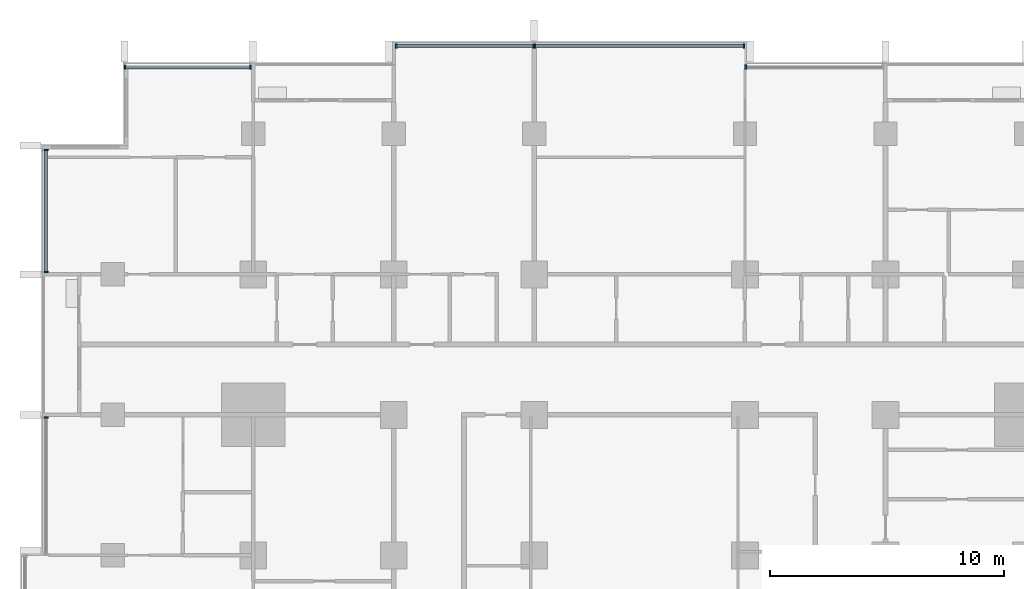
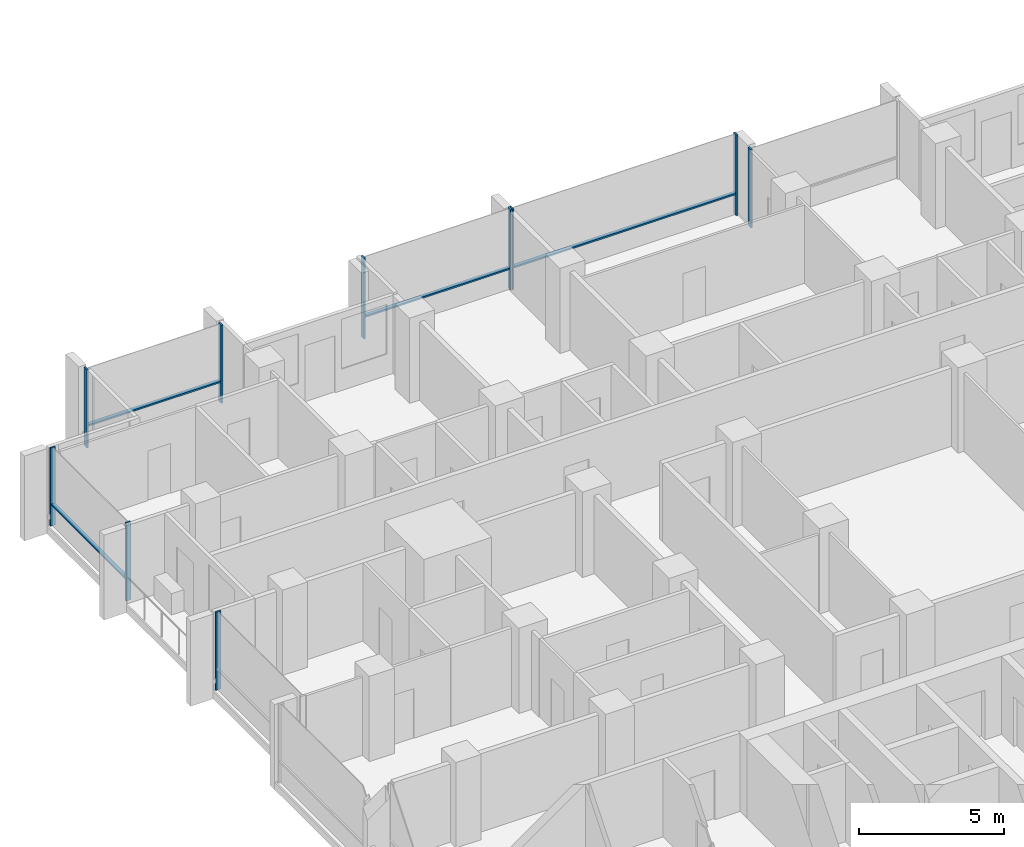
# One storey, part 4 of 18: 14 members, 6 elements without a shape of their own.
"""IFC4 building model written with IfcOpenShell, lengths in metres."""

from ifc_helpers import new_model, si_unit, direction, frame, origin, origin_2d, place, context, subcontext, project, spatial, rectangle, extrude, material, material_profile, profile_set, type_object, element, aggregate, save


model = new_model("IFC4")

# Units and contexts
model_context = context("Model", 3, precision=1e-05, world=origin(), true_north=direction((0.0, 1.0)))
body_context = subcontext(model_context, "Body", "Model", "MODEL_VIEW")
ifc_project = project(units=[si_unit("LENGTHUNIT", "METRE"), si_unit("AREAUNIT", "SQUARE_METRE"), si_unit("VOLUMEUNIT", "CUBIC_METRE"), si_unit("PLANEANGLEUNIT", "RADIAN"), si_unit("MASSUNIT", "GRAM", prefix="KILO")], contexts=[model_context])

# Site, building, storey
site_placement = place(None, origin())
site = spatial("IfcSite", under=ifc_project, at=site_placement, CompositionType="ELEMENT")
building_placement = place(site_placement, origin())
building = spatial("IfcBuilding", under=site, at=building_placement, Name="Finial Court Residences", CompositionType="ELEMENT")
storey_placement = place(building_placement, frame((0.0, 0.0, 106.300048828125)))
storey = spatial("IfcBuildingStorey", under=building, at=storey_placement, Name="L26", CompositionType="ELEMENT", Elevation=106.300048828125)

# Curtain wall, members
ifc_material = material(Name="Bronze anodised aluminium", Category="aluminium")
curtain_wall_type = type_object("IfcCurtainWallType", Name="Unitised curtain wall, lower and middle zones", PredefinedType="NOTDEFINED", material=ifc_material)
curtain_wall_1_placement = place(storey_placement, origin())
curtain_wall_1 = element("IfcCurtainWall", 1, at=curtain_wall_1_placement, inside=storey, type_object=curtain_wall_type, Name="E-L26-CW-N1", PredefinedType="NOTDEFINED")
ifc_material_profile_1 = material_profile(ifc_material, rectangle(XDim=0.199951171875, YDim=0.06494140625, at=origin_2d()), Name="CW1 mullion 65 x 200")
ifc_profile_set_1 = profile_set([ifc_material_profile_1], Name="Bronze anodised aluminium")
member_type_1 = type_object("IfcMemberType", Name="CW1 mullion 65 x 200", PredefinedType="MULLION", material=ifc_profile_set_1)
member_1_placement = place(storey_placement, frame((-21.967529296875, 22.35009765625, 0.0), z_axis=(0.0, 0.0, 1.0), x_axis=(0.0, 1.0, 0.0)))
member_1 = element("IfcMember", 2, at=member_1_placement, type_object=member_type_1, Name="CW1 mullion 1", PredefinedType="MULLION", context=body_context, shape_type="SweptSolid", body=[
    extrude(rectangle(XDim=0.199951171875, YDim=0.06494140625, at=origin_2d()), origin(), (0.0, 0.0, 1.0), 3.300048828125),
])
member_2_placement = place(storey_placement, frame((-16.607421875, 22.35009765625, 0.0), z_axis=(0.0, 0.0, 1.0), x_axis=(0.0, 1.0, 0.0)))
member_2 = element("IfcMember", 3, at=member_2_placement, type_object=member_type_1, Name="CW1 mullion 2", PredefinedType="MULLION", context=body_context, shape_type="SweptSolid", body=[
    extrude(rectangle(XDim=0.199951171875, YDim=0.06494140625, at=origin_2d()), origin(), (0.0, 0.0, 1.0), 3.300048828125),
])

curtain_wall_2_placement = place(storey_placement, origin())
curtain_wall_2 = element("IfcCurtainWall", 4, at=curtain_wall_2_placement, inside=storey, type_object=curtain_wall_type, Name="E-L26-CW-N2", PredefinedType="NOTDEFINED")
member_3_placement = place(storey_placement, frame((-10.392578125, 23.25, 0.0), z_axis=(0.0, 0.0, 1.0), x_axis=(0.0, 1.0, 0.0)))
member_3 = element("IfcMember", 5, at=member_3_placement, type_object=member_type_1, Name="CW1 mullion 1", PredefinedType="MULLION", context=body_context, shape_type="SweptSolid", body=[
    extrude(rectangle(XDim=0.199951171875, YDim=0.06494140625, at=origin_2d()), origin(), (0.0, 0.0, 1.0), 3.39990234375),
])
member_4_placement = place(storey_placement, frame((-4.532470703125, 23.25, 0.0), z_axis=(0.0, 0.0, 1.0), x_axis=(0.0, 1.0, 0.0)))
member_4 = element("IfcMember", 6, at=member_4_placement, type_object=member_type_1, Name="CW1 mullion 2", PredefinedType="MULLION", context=body_context, shape_type="SweptSolid", body=[
    extrude(rectangle(XDim=0.199951171875, YDim=0.06494140625, at=origin_2d()), origin(), (0.0, 0.0, 1.0), 3.39990234375),
])

curtain_wall_3_placement = place(storey_placement, origin())
curtain_wall_3 = element("IfcCurtainWall", 7, at=curtain_wall_3_placement, inside=storey, type_object=curtain_wall_type, Name="E-L26-CW-N3", PredefinedType="NOTDEFINED")
member_5_placement = place(storey_placement, frame((-4.467529296875, 23.25, 0.0), z_axis=(0.0, 0.0, 1.0), x_axis=(0.0, 1.0, 0.0)))
member_5 = element("IfcMember", 8, at=member_5_placement, type_object=member_type_1, Name="CW1 mullion 1", PredefinedType="MULLION", context=body_context, shape_type="SweptSolid", body=[
    extrude(rectangle(XDim=0.199951171875, YDim=0.06494140625, at=origin_2d()), origin(), (0.0, 0.0, 1.0), 3.39990234375),
])
member_6_placement = place(storey_placement, frame((4.467529296875, 23.25, 0.0), z_axis=(0.0, 0.0, 1.0), x_axis=(0.0, 1.0, 0.0)))
member_6 = element("IfcMember", 9, at=member_6_placement, type_object=member_type_1, Name="CW1 mullion 2", PredefinedType="MULLION", context=body_context, shape_type="SweptSolid", body=[
    extrude(rectangle(XDim=0.199951171875, YDim=0.06494140625, at=origin_2d()), origin(), (0.0, 0.0, 1.0), 3.39990234375),
])

# Curtain wall, member
curtain_wall_4_placement = place(storey_placement, origin())
curtain_wall_4 = element("IfcCurtainWall", 10, at=curtain_wall_4_placement, inside=storey, type_object=curtain_wall_type, Name="E-L26-CW-N4", PredefinedType="NOTDEFINED")
member_7_placement = place(storey_placement, frame((4.532470703125, 22.35009765625, 0.0), z_axis=(0.0, 0.0, 1.0), x_axis=(0.0, 1.0, 0.0)))
member_7 = element("IfcMember", 11, at=member_7_placement, type_object=member_type_1, Name="CW1 mullion 1", PredefinedType="MULLION", context=body_context, shape_type="SweptSolid", body=[
    extrude(rectangle(XDim=0.199951171875, YDim=0.06494140625, at=origin_2d()), origin(), (0.0, 0.0, 1.0), 3.300048828125),
])
aggregate(curtain_wall_4, [member_7])

curtain_wall_5_placement = place(storey_placement, origin())
curtain_wall_5 = element("IfcCurtainWall", 12, at=curtain_wall_5_placement, inside=storey, type_object=curtain_wall_type, Name="E-L26-CW-W14", PredefinedType="NOTDEFINED")
member_8_placement = place(storey_placement, frame((-25.35009765625, 7.392578125, 0.0), z_axis=(0.0, 0.0, 1.0), x_axis=(-1.0, 0.0, 0.0)))
member_8 = element("IfcMember", 13, at=member_8_placement, type_object=member_type_1, Name="CW1 mullion 2", PredefinedType="MULLION", context=body_context, shape_type="SweptSolid", body=[
    extrude(rectangle(XDim=0.199951171875, YDim=0.06494140625, at=origin_2d()), origin(), (0.0, 0.0, 1.0), 3.300048828125),
])
aggregate(curtain_wall_5, [member_8])

# Curtain wall, members
curtain_wall_6_placement = place(storey_placement, origin())
curtain_wall_6 = element("IfcCurtainWall", 14, at=curtain_wall_6_placement, inside=storey, type_object=curtain_wall_type, Name="E-L26-CW-W15", PredefinedType="NOTDEFINED")
member_9_placement = place(storey_placement, frame((-25.35009765625, 13.607421875, 0.0), z_axis=(0.0, 0.0, 1.0), x_axis=(-1.0, 0.0, 0.0)))
member_9 = element("IfcMember", 15, at=member_9_placement, type_object=member_type_1, Name="CW1 mullion 1", PredefinedType="MULLION", context=body_context, shape_type="SweptSolid", body=[
    extrude(rectangle(XDim=0.199951171875, YDim=0.06494140625, at=origin_2d()), origin(), (0.0, 0.0, 1.0), 3.300048828125),
])
member_10_placement = place(storey_placement, frame((-25.35009765625, 18.8173828125, 0.0), z_axis=(0.0, 0.0, 1.0), x_axis=(-1.0, 0.0, 0.0)))
member_10 = element("IfcMember", 16, at=member_10_placement, type_object=member_type_1, Name="CW1 mullion 2", PredefinedType="MULLION", context=body_context, shape_type="SweptSolid", body=[
    extrude(rectangle(XDim=0.199951171875, YDim=0.06494140625, at=origin_2d()), origin(), (0.0, 0.0, 1.0), 3.300048828125),
])

# Member
ifc_material_profile_2 = material_profile(ifc_material, rectangle(XDim=0.14990234375, YDim=0.06494140625, at=origin_2d()), Name="CW1 transom 65 x 150")
ifc_profile_set_2 = profile_set([ifc_material_profile_2], Name="Bronze anodised aluminium")
member_type_2 = type_object("IfcMemberType", Name="CW1 transom 65 x 150", PredefinedType="USERDEFINED", material=ifc_profile_set_2)
member_11_placement = place(storey_placement, frame((-21.93505859375, 22.35009765625, 0.89990234375), z_axis=(1.0, 0.0, 0.0), x_axis=(0.0, 1.0, 0.0)))
member_11 = element("IfcMember", 17, at=member_11_placement, type_object=member_type_2, Name="CW1 transom 1.1", ObjectType="TRANSOM", PredefinedType="USERDEFINED", context=body_context, shape_type="SweptSolid", body=[
    extrude(rectangle(XDim=0.14990234375, YDim=0.06494140625, at=origin_2d()), origin(), (0.0, 0.0, 1.0), 5.295166015625),
])

aggregate(curtain_wall_1, [member_1, member_2, member_11])

member_12_placement = place(storey_placement, frame((-10.360107421875, 23.25, 0.89990234375), z_axis=(1.0, 0.0, 0.0), x_axis=(0.0, 1.0, 0.0)))
member_12 = element("IfcMember", 18, at=member_12_placement, type_object=member_type_2, Name="CW1 transom 1.1", ObjectType="TRANSOM", PredefinedType="USERDEFINED", context=body_context, shape_type="SweptSolid", body=[
    extrude(rectangle(XDim=0.14990234375, YDim=0.06494140625, at=origin_2d()), origin(), (0.0, 0.0, 1.0), 5.795166015625),
])

aggregate(curtain_wall_2, [member_3, member_4, member_12])

member_13_placement = place(storey_placement, frame((-4.43505859375, 23.25, 0.89990234375), z_axis=(1.0, 0.0, 0.0), x_axis=(0.0, 1.0, 0.0)))
member_13 = element("IfcMember", 19, at=member_13_placement, type_object=member_type_2, Name="CW1 transom 1.1", ObjectType="TRANSOM", PredefinedType="USERDEFINED", context=body_context, shape_type="SweptSolid", body=[
    extrude(rectangle(XDim=0.14990234375, YDim=0.06494140625, at=origin_2d()), origin(), (0.0, 0.0, 1.0), 8.8701171875),
])

aggregate(curtain_wall_3, [member_5, member_6, member_13])

member_14_placement = place(storey_placement, frame((-25.35009765625, 13.639892578125, 0.89990234375), z_axis=(0.0, 1.0, 0.0), x_axis=(-1.0, 0.0, 0.0)))
member_14 = element("IfcMember", 20, at=member_14_placement, type_object=member_type_2, Name="CW1 transom 1.1", ObjectType="TRANSOM", PredefinedType="USERDEFINED", context=body_context, shape_type="SweptSolid", body=[
    extrude(rectangle(XDim=0.14990234375, YDim=0.06494140625, at=origin_2d()), origin(), (0.0, 0.0, 1.0), 5.14501953125),
])

aggregate(curtain_wall_6, [member_9, member_10, member_14])

save(model, "model.ifc")
